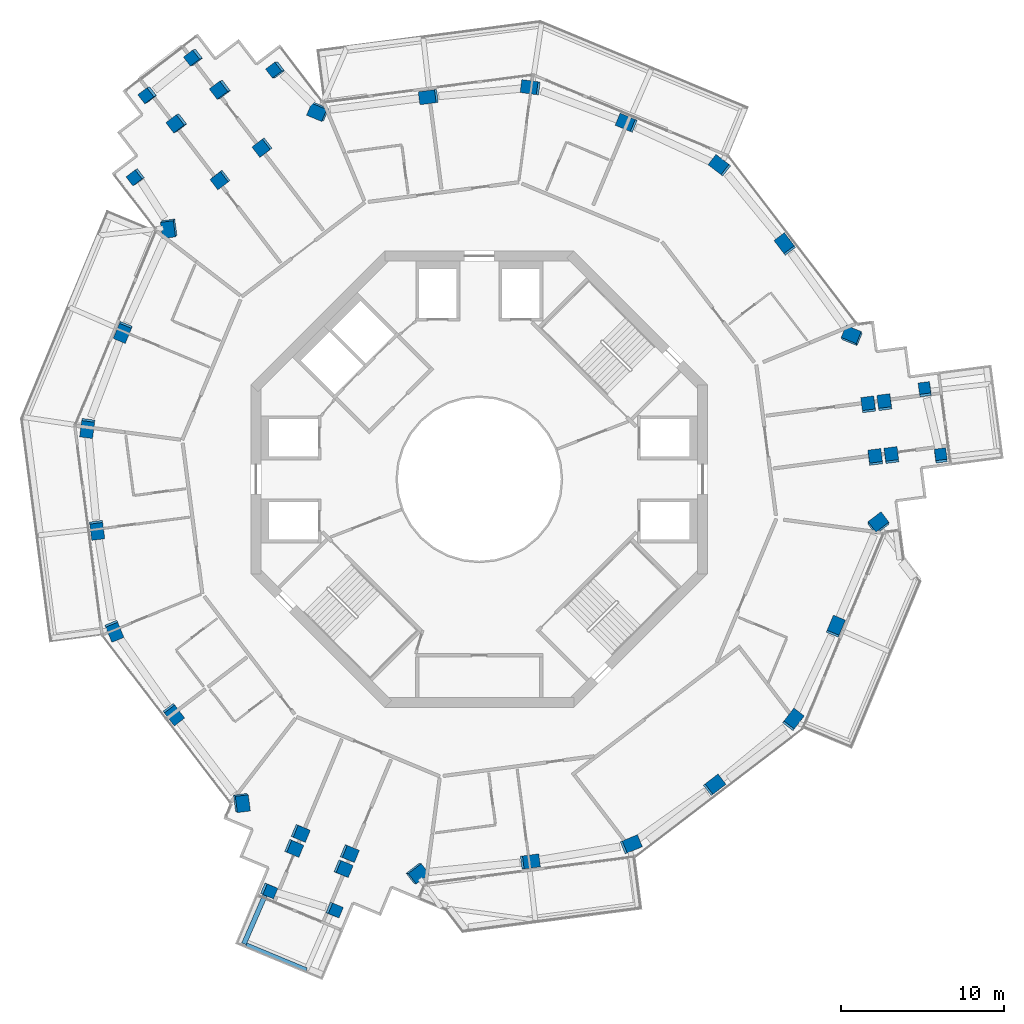
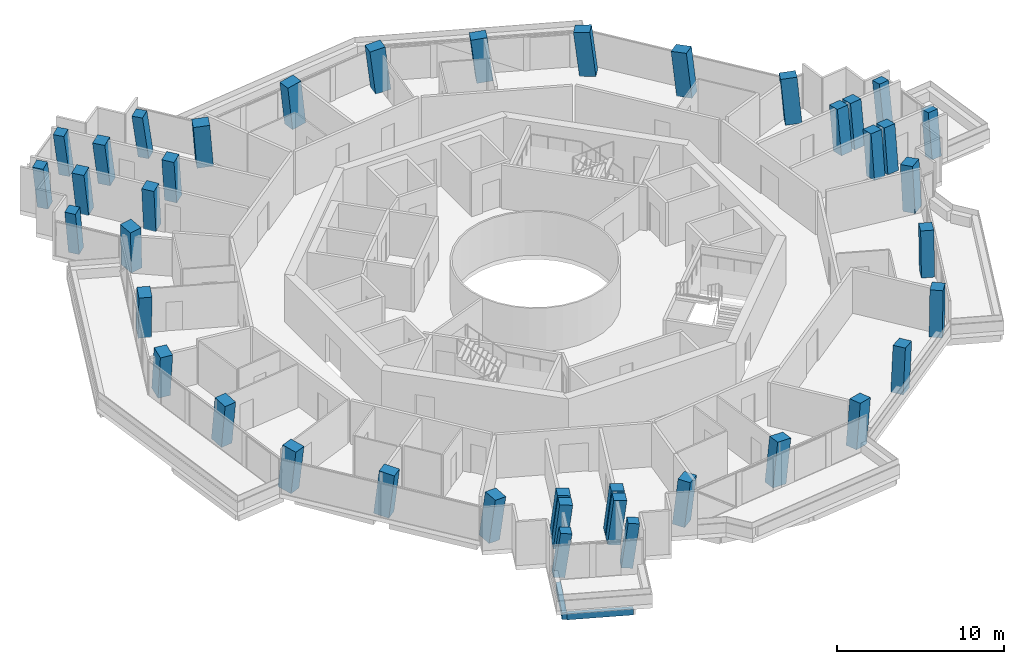
# One storey, part 1 of 25: 41 columns, 2 beams.
"""IFC4 building model written with IfcOpenShell, lengths in metres."""

import ifcopenshell
import ifcopenshell.guid

model = None  # the IFC model being written
_history = None  # IfcOwnerHistory: only IFC2X3 demands one
_inside = {}  # id of a spatial element -> (the spatial element, [elements in it])
_under = {}  # id of a project, library or spatial element -> (it, [spatial elements below it])
_declared = {}  # id of a project -> (the project, [libraries it declares])
_typed = {}  # id of a type object -> (the type object, [elements of that type])
_made_of = {}  # id of a material, layer set ... -> (it, [elements and type objects made of it])


def new_model(schema):
    """Start an empty IFC model of exactly this schema.

    Asked for "IFC4X3", IfcOpenShell would pick the latest addendum, in which some entities
    have other attributes; the version numbers below select the first issue.
    IFC2X3 requires an IfcOwnerHistory on every rooted entity: one is made here for all.
    """
    global model, _history
    if schema == "IFC4X3":
        model = ifcopenshell.file(schema_version=(4, 3, 0, 0))
    else:
        model = ifcopenshell.file(schema=schema)
    _inside.clear()
    _under.clear()
    _declared.clear()
    _typed.clear()
    _made_of.clear()
    _history = None
    if model.schema == "IFC2X3":
        org = make("IfcOrganization", Name="unknown")
        user = make(
            "IfcPersonAndOrganization",
            ThePerson=make("IfcPerson", FamilyName="unknown"),
            TheOrganization=org,
        )
        app = make(
            "IfcApplication",
            ApplicationDeveloper=org,
            Version="unknown",
            ApplicationFullName="unknown",
            ApplicationIdentifier="unknown",
        )
        _history = make(
            "IfcOwnerHistory",
            OwningUser=user,
            OwningApplication=app,
            ChangeAction="ADDED",
            CreationDate=0,
        )
    return model


def make(cls, **values):
    """One entity of the class cls with the attributes given. An attribute that is None is left unset."""
    return model.create_entity(
        cls, **{name: value for name, value in values.items() if value is not None}
    )


def rooted(cls, **values):
    """An entity with a GlobalId (a new one), such as an element, a storey or a relation."""
    return make(cls, GlobalId=ifcopenshell.guid.new(), OwnerHistory=_history, **values)


def si_unit(unit_type, name, prefix=None):
    """IfcSIUnit, for example si_unit("LENGTHUNIT", "METRE", prefix="MILLI")."""
    return make("IfcSIUnit", UnitType=unit_type, Prefix=prefix, Name=name)


def assignment(units):
    """IfcUnitAssignment: the units of a project."""
    return None if units is None else make("IfcUnitAssignment", Units=units)


def point(xyz):
    """IfcCartesianPoint."""
    return None if xyz is None else make("IfcCartesianPoint", Coordinates=xyz)


def direction(xyz):
    """IfcDirection."""
    return None if xyz is None else make("IfcDirection", DirectionRatios=xyz)


def frame(location, z_axis=None, x_axis=None):
    """IfcAxis2Placement3D, a coordinate frame: its origin and axes. An axis left out is left unset."""
    return make(
        "IfcAxis2Placement3D",
        Location=point(location),
        Axis=direction(z_axis),
        RefDirection=direction(x_axis),
    )


def frame_2d(location, x_axis=None):
    """IfcAxis2Placement2D, a coordinate frame in the plane: its origin and x axis."""
    return make(
        "IfcAxis2Placement2D", Location=point(location), RefDirection=direction(x_axis)
    )


def origin():
    """The frame at (0, 0, 0) with its axes left unset."""
    return frame((0.0, 0.0, 0.0))


def origin_2d():
    """The frame at (0, 0) in the plane with its x axis left unset."""
    return frame_2d((0.0, 0.0))


def place(relative_to, where):
    """IfcLocalPlacement: puts the frame where relative to a parent placement (None: the world)."""
    return make(
        "IfcLocalPlacement", PlacementRelTo=relative_to, RelativePlacement=where
    )


def context(
    kind, dimensions, precision=None, world=None, true_north=None, identifier=None
):
    """IfcGeometricRepresentationContext, for example the 3D "Model" context."""
    return make(
        "IfcGeometricRepresentationContext",
        ContextIdentifier=identifier,
        ContextType=kind,
        CoordinateSpaceDimension=dimensions,
        Precision=precision,
        WorldCoordinateSystem=world,
        TrueNorth=true_north,
    )


def subcontext(parent, identifier, kind, view, scale=None):
    """IfcGeometricRepresentationSubContext, for example "Body" below "Model"."""
    return make(
        "IfcGeometricRepresentationSubContext",
        ContextIdentifier=identifier,
        ContextType=kind,
        ParentContext=parent,
        TargetScale=scale,
        TargetView=view,
    )


def project(units=None, contexts=None):
    """IfcProject with its units and contexts."""
    return rooted(
        "IfcProject",
        Name="project",
        RepresentationContexts=contexts,
        UnitsInContext=assignment(units),
    )


def spatial(cls, under=None, at=None, **own):
    """A site, building, storey or space (cls), placed at a placement, below another one or the project."""
    s = rooted(cls, ObjectPlacement=at, **own)
    if under is not None:
        _under.setdefault(under.id(), (under, []))[1].append(s)
    return s


def profile(cls, at=None, kind="AREA", **sizes):
    """A parametric profile (cls). Its sizes go by their IFC names, for example OverallWidth=200.0."""
    return make(cls, ProfileType=kind, Position=at, **sizes)


def rectangle(**sizes):
    """IfcRectangleProfileDef."""
    return profile("IfcRectangleProfileDef", **sizes)


def extrude(swept, where, along, depth):
    """IfcExtrudedAreaSolid: the profile swept, set in the frame where, extruded along a direction by depth."""
    return make(
        "IfcExtrudedAreaSolid",
        SweptArea=swept,
        Position=where,
        ExtrudedDirection=direction(along),
        Depth=depth,
    )


def shape(context_of_items, identifier, shape_type, items):
    """IfcShapeRepresentation: the items that make up one representation, for example the "Body"."""
    return make(
        "IfcShapeRepresentation",
        ContextOfItems=context_of_items,
        RepresentationIdentifier=identifier,
        RepresentationType=shape_type,
        Items=items,
    )


def material(Name=None, Category=None):
    """IfcMaterial."""
    return make("IfcMaterial", Name=Name, Category=Category)


def material_profile(
    of_material, cross_section, Name=None, Category=None, Priority=None
):
    """IfcMaterialProfile: a cross section and its material."""
    return make(
        "IfcMaterialProfile",
        Name=Name,
        Material=of_material,
        Profile=cross_section,
        Priority=Priority,
        Category=Category,
    )


def profile_set(profiles, Name=None, composite=None):
    """IfcMaterialProfileSet."""
    return make(
        "IfcMaterialProfileSet",
        Name=Name,
        MaterialProfiles=profiles,
        CompositeProfile=composite,
    )


def made_of(thing, what):
    """Note that an element or type object is made of a material, layer set ...; save() writes the relation."""
    if what is not None:
        _made_of.setdefault(what.id(), (what, []))[1].append(thing)
    return thing


def type_object(cls, material=None, **own):
    """A type object (cls), such as IfcWallType, which elements share."""
    return made_of(rooted(cls, **own), material)


def element(
    cls,
    number,
    at=None,
    inside=None,
    cuts=None,
    type_object=None,
    material=None,
    context=None,
    identifier="Body",
    shape_type=None,
    held_by="IfcProductDefinitionShape",
    body=None,
    shapes=None,
    **own,
):
    """One element of the class cls, such as IfcWall. Its Tag is "e" and its number.

    at: its placement. inside: the storey or other place that contains it. cuts: it is an
    opening in that element (IfcRelVoidsElement). A single representation is given by context,
    identifier, shape_type and body (its items); several are given by shapes. held_by: the class
    of the entity that holds the representations. save() writes the other relations.
    """
    e = rooted(cls, Tag="e%d" % number, ObjectPlacement=at, **own)
    if body is not None:
        shapes = [shape(context, identifier, shape_type, body)]
    if shapes is not None:
        e.Representation = make(held_by, Representations=shapes)
    if inside is not None:
        _inside.setdefault(inside.id(), (inside, []))[1].append(e)
    if cuts is not None:
        rooted(
            "IfcRelVoidsElement", RelatingBuildingElement=cuts, RelatedOpeningElement=e
        )
    if type_object is not None:
        _typed.setdefault(type_object.id(), (type_object, []))[1].append(e)
    return made_of(e, material)


def aggregate(whole, parts):
    """IfcRelAggregates: a whole, such as a stair, and the parts it consists of."""
    return rooted("IfcRelAggregates", RelatingObject=whole, RelatedObjects=parts)


def save(model, path):
    """Write the relations noted so far, then the file.

    IfcRelAggregates (storeys below a building ...), IfcRelContainedInSpatialStructure (elements
    in a storey), IfcRelDefinesByType, IfcRelAssociatesMaterial and IfcRelDeclares: one each for
    every whole, place, type object, material and project.
    """
    for whole, parts in _under.values():
        aggregate(whole, parts)
    for where, things in _inside.values():
        rooted(
            "IfcRelContainedInSpatialStructure",
            RelatedElements=things,
            RelatingStructure=where,
        )
    for kind, things in _typed.values():
        rooted("IfcRelDefinesByType", RelatedObjects=things, RelatingType=kind)
    for what, things in _made_of.values():
        rooted("IfcRelAssociatesMaterial", RelatedObjects=things, RelatingMaterial=what)
    for by, libraries in _declared.values():
        rooted("IfcRelDeclares", RelatingContext=by, RelatedDefinitions=libraries)
    model.write(path)


model = new_model("IFC4")

# Units and contexts
model_context = context("Model", 3, precision=1e-05, world=origin(), true_north=direction((0.0, 1.0)))
body_context = subcontext(model_context, "Body", "Model", "MODEL_VIEW")
ifc_project = project(units=[si_unit("LENGTHUNIT", "METRE"), si_unit("AREAUNIT", "SQUARE_METRE"), si_unit("VOLUMEUNIT", "CUBIC_METRE"), si_unit("PLANEANGLEUNIT", "RADIAN"), si_unit("MASSUNIT", "GRAM", prefix="KILO")], contexts=[model_context])

# Site, building, storey
site_placement = place(None, origin())
site = spatial("IfcSite", under=ifc_project, at=site_placement, CompositionType="ELEMENT")
building_placement = place(site_placement, origin())
building = spatial("IfcBuilding", under=site, at=building_placement, Name="Verdalira Terraces Hotel", CompositionType="ELEMENT")
storey_placement = place(building_placement, frame((0.0, 0.0, 187.0)))
storey = spatial("IfcBuildingStorey", under=building, at=storey_placement, Name="L45", CompositionType="ELEMENT", Elevation=187.0)

# Columns
ifc_material_1 = material(Name="Concrete C60", Category="concrete")
ifc_material_profile_1 = material_profile(ifc_material_1, rectangle(XDim=1.0, YDim=0.800049, at=origin_2d()), Name="RC 1000X800")
ifc_profile_set_1 = profile_set([ifc_material_profile_1], Name="Concrete C60")
column_type_1 = type_object("IfcColumnType", Name="Column RC 1000X800 C60", PredefinedType="COLUMN", material=ifc_profile_set_1)
column_1_placement = place(storey_placement, frame((-19.015137, 15.426025, 0.0), z_axis=(-0.072593127, -0.091064467, 0.9931956), x_axis=(-0.135973372, 0.987428635, 0.080597347)))
element("IfcColumn", 1, at=column_1_placement, inside=storey, type_object=column_type_1, Name="Column C03", PredefinedType="COLUMN", context=body_context, shape_type="SweptSolid", body=[
    extrude(rectangle(XDim=1.0, YDim=0.800049, at=origin_2d()), origin(), (0.0, 0.0, 1.0), 3.211914),
])
column_2_placement = place(storey_placement, frame((-21.8479, 9.076416, 0.0), z_axis=(-0.042358915, -0.104262249, 0.993647375), x_axis=(-0.381802301, -0.917367434, -0.112534412)))
element("IfcColumn", 2, at=column_2_placement, inside=storey, type_object=column_type_1, Name="Column C04", PredefinedType="COLUMN", context=body_context, shape_type="SweptSolid", body=[
    extrude(rectangle(XDim=1.0, YDim=0.800049, at=origin_2d()), origin(), (0.0, 0.0, 1.0), 3.210449),
])
column_3_placement = place(storey_placement, frame((-24.043945, 3.191162, 0.0), z_axis=(-0.014216387, -0.11449133, 0.993322521), x_axis=(0.130765561, 0.984678092, 0.115366475)))
element("IfcColumn", 3, at=column_3_placement, inside=storey, type_object=column_type_1, Name="Column C05", PredefinedType="COLUMN", context=body_context, shape_type="SweptSolid", body=[
    extrude(rectangle(XDim=1.0, YDim=0.800049, at=origin_2d()), origin(), (0.0, 0.0, 1.0), 3.211426),
])
column_4_placement = place(storey_placement, frame((-23.459229, -3.063477, 0.0), z_axis=(0.015513818, -0.111486556, 0.993644841), x_axis=(0.128594241, -0.985289039, -0.112556785)))
element("IfcColumn", 4, at=column_4_placement, inside=storey, type_object=column_type_1, Name="Column C06", PredefinedType="COLUMN", context=body_context, shape_type="SweptSolid", body=[
    extrude(rectangle(XDim=1.0, YDim=0.800049, at=origin_2d()), origin(), (0.0, 0.0, 1.0), 3.210449),
])
column_5_placement = place(storey_placement, frame((-22.418213, -9.258301, 0.0), z_axis=(0.044929776, -0.106280587, 0.993320569), x_axis=(-0.378999709, 0.918175321, 0.115383279)))
element("IfcColumn", 5, at=column_5_placement, inside=storey, type_object=column_type_1, Name="Column C07", PredefinedType="COLUMN", context=body_context, shape_type="SweptSolid", body=[
    extrude(rectangle(XDim=1.0, YDim=0.800049, at=origin_2d()), origin(), (0.0, 0.0, 1.0), 3.211426),
])
column_6_placement = place(storey_placement, frame((-18.784424, -14.382568, 0.0), z_axis=(0.069128268, -0.088748833, 0.993652317), x_axis=(0.603927899, -0.789060783, -0.112490769)))
element("IfcColumn", 6, at=column_6_placement, inside=storey, type_object=column_type_1, Name="Column C08", PredefinedType="COLUMN", context=body_context, shape_type="SweptSolid", body=[
    extrude(rectangle(XDim=1.0, YDim=0.800049, at=origin_2d()), origin(), (0.0, 0.0, 1.0), 3.210205),
])
for number, where, z_axis, x_axis, name in (
    (7, (-14.622314, -19.818604, 0.0), (0.094782296, -0.068711464, 0.993123885), (-0.122268831, 0.989258415, 0.080113182), "Column C09"),
    (8, (-3.851807, -24.180664, 0.0), (0.115160831, -0.017331135, 0.993195658), (-0.787130127, -0.611498393, 0.080597008), "Column C12"),
):
    element("IfcColumn", number, at=place(storey_placement, frame(where, z_axis=z_axis, x_axis=x_axis)), inside=storey, type_object=column_type_1, Name=name, PredefinedType="COLUMN", context=body_context, shape_type="SweptSolid", body=[
        extrude(rectangle(XDim=1.0, YDim=0.800049, at=origin_2d()), origin(), (0.0, 0.0, 1.0), 3.211914),
    ])
column_7_placement = place(storey_placement, frame((3.063477, -23.459229, 0.0), z_axis=(0.111486556, 0.015513818, 0.993644841), x_axis=(0.985289039, 0.128594241, -0.112556785)))
element("IfcColumn", 9, at=column_7_placement, inside=storey, type_object=column_type_1, Name="Column C13", PredefinedType="COLUMN", context=body_context, shape_type="SweptSolid", body=[
    extrude(rectangle(XDim=1.0, YDim=0.800049, at=origin_2d()), origin(), (0.0, 0.0, 1.0), 3.210449),
])
column_8_placement = place(storey_placement, frame((9.258301, -22.418213, 0.0), z_axis=(0.106280587, 0.044929776, 0.993320569), x_axis=(-0.918175321, -0.378999709, 0.115383279)))
element("IfcColumn", 10, at=column_8_placement, inside=storey, type_object=column_type_1, Name="Column C14", PredefinedType="COLUMN", context=body_context, shape_type="SweptSolid", body=[
    extrude(rectangle(XDim=1.0, YDim=0.800049, at=origin_2d()), origin(), (0.0, 0.0, 1.0), 3.211426),
])
column_9_placement = place(storey_placement, frame((14.382568, -18.784424, 0.0), z_axis=(0.088748833, 0.069128268, 0.993652317), x_axis=(0.789060783, 0.603927899, -0.112490769)))
element("IfcColumn", 11, at=column_9_placement, inside=storey, type_object=column_type_1, Name="Column C15", PredefinedType="COLUMN", context=body_context, shape_type="SweptSolid", body=[
    extrude(rectangle(XDim=1.0, YDim=0.800049, at=origin_2d()), origin(), (0.0, 0.0, 1.0), 3.210205),
])
column_10_placement = place(storey_placement, frame((19.227051, -14.7854, 0.0), z_axis=(0.069561803, 0.091988832, 0.993327343), x_axis=(-0.605840039, -0.787183589, 0.115324949)))
element("IfcColumn", 12, at=column_10_placement, inside=storey, type_object=column_type_1, Name="Column C16", PredefinedType="COLUMN", context=body_context, shape_type="SweptSolid", body=[
    extrude(rectangle(XDim=1.0, YDim=0.800049, at=origin_2d()), origin(), (0.0, 0.0, 1.0), 3.211426),
])
column_11_placement = place(storey_placement, frame((21.8479, -9.076416, 0.0), z_axis=(0.042358915, 0.104262249, 0.993647375), x_axis=(0.381802301, 0.917367434, -0.112534412)))
element("IfcColumn", 13, at=column_11_placement, inside=storey, type_object=column_type_1, Name="Column C17", PredefinedType="COLUMN", context=body_context, shape_type="SweptSolid", body=[
    extrude(rectangle(XDim=1.0, YDim=0.800049, at=origin_2d()), origin(), (0.0, 0.0, 1.0), 3.210449),
])
for number, where, z_axis, x_axis, name in (
    (14, (24.474609, -2.753906, 0.0), (0.01208531, 0.116444623, 0.993123656), (-0.795435722, -0.6007193, 0.080114515), "Column C18"),
    (15, (22.866943, 8.754639, 0.0), (-0.042567716, 0.108395649, 0.993196039), (0.923130304, -0.375945377, 0.080594756), "Column C21"),
):
    element("IfcColumn", number, at=place(storey_placement, frame(where, z_axis=z_axis, x_axis=x_axis)), inside=storey, type_object=column_type_1, Name=name, PredefinedType="COLUMN", context=body_context, shape_type="SweptSolid", body=[
        extrude(rectangle(XDim=1.0, YDim=0.800049, at=origin_2d()), origin(), (0.0, 0.0, 1.0), 3.211914),
    ])
column_12_placement = place(storey_placement, frame((18.784424, 14.382568, 0.0), z_axis=(-0.069128268, 0.088748833, 0.993652317), x_axis=(-0.603927899, 0.789060783, -0.112490769)))
element("IfcColumn", 16, at=column_12_placement, inside=storey, type_object=column_type_1, Name="Column C22", PredefinedType="COLUMN", context=body_context, shape_type="SweptSolid", body=[
    extrude(rectangle(XDim=1.0, YDim=0.800049, at=origin_2d()), origin(), (0.0, 0.0, 1.0), 3.210205),
])
column_13_placement = place(storey_placement, frame((14.7854, 19.227051, 0.0), z_axis=(-0.091988832, 0.069561803, 0.993327343), x_axis=(0.787183589, -0.605840039, 0.115324949)))
element("IfcColumn", 17, at=column_13_placement, inside=storey, type_object=column_type_1, Name="Column C23", PredefinedType="COLUMN", context=body_context, shape_type="SweptSolid", body=[
    extrude(rectangle(XDim=1.0, YDim=0.800049, at=origin_2d()), origin(), (0.0, 0.0, 1.0), 3.211426),
])
column_14_placement = place(storey_placement, frame((9.076416, 21.8479, 0.0), z_axis=(-0.104262249, 0.042358915, 0.993647375), x_axis=(-0.917367434, 0.381802301, -0.112534412)))
element("IfcColumn", 18, at=column_14_placement, inside=storey, type_object=column_type_1, Name="Column C24", PredefinedType="COLUMN", context=body_context, shape_type="SweptSolid", body=[
    extrude(rectangle(XDim=1.0, YDim=0.800049, at=origin_2d()), origin(), (0.0, 0.0, 1.0), 3.210449),
])
column_15_placement = place(storey_placement, frame((3.191162, 24.043945, 0.0), z_axis=(-0.11449133, 0.014216387, 0.993322521), x_axis=(0.984678092, -0.130765561, 0.115366475)))
element("IfcColumn", 19, at=column_15_placement, inside=storey, type_object=column_type_1, Name="Column C25", PredefinedType="COLUMN", context=body_context, shape_type="SweptSolid", body=[
    extrude(rectangle(XDim=1.0, YDim=0.800049, at=origin_2d()), origin(), (0.0, 0.0, 1.0), 3.211426),
])
column_16_placement = place(storey_placement, frame((-3.063477, 23.459229, 0.0), z_axis=(-0.111486556, -0.015513818, 0.993644841), x_axis=(-0.985289039, -0.128594241, -0.112556785)))
element("IfcColumn", 20, at=column_16_placement, inside=storey, type_object=column_type_1, Name="Column C26", PredefinedType="COLUMN", context=body_context, shape_type="SweptSolid", body=[
    extrude(rectangle(XDim=1.0, YDim=0.800049, at=origin_2d()), origin(), (0.0, 0.0, 1.0), 3.210449),
])
column_17_placement = place(storey_placement, frame((-9.852295, 22.57251, 0.0), z_axis=(-0.106943059, -0.047732936, 0.993118698), x_axis=(0.917806307, -0.388855547, 0.080143287)))
element("IfcColumn", 21, at=column_17_placement, inside=storey, type_object=column_type_1, Name="Column C27", PredefinedType="COLUMN", context=body_context, shape_type="SweptSolid", body=[
    extrude(rectangle(XDim=1.0, YDim=0.800049, at=origin_2d()), origin(), (0.0, 0.0, 1.0), 3.212158),
])
ifc_material_2 = material(Name="Concrete C60", Category="concrete")
ifc_material_profile_2 = material_profile(ifc_material_2, rectangle(XDim=0.699951, YDim=0.699951, at=origin_2d()), Name="RC 700X700")
ifc_profile_set_2 = profile_set([ifc_material_profile_2], Name="Concrete C60")
column_type_2 = type_object("IfcColumnType", Name="Column RC 700X700 C60", PredefinedType="COLUMN", material=ifc_profile_set_2)
column_18_placement = place(storey_placement, frame((-12.44043, 25.130371, 0.0), z_axis=(-0.147642471, -0.023005285, 0.988773208), x_axis=(-0.598701769, 0.797833719, -0.070834662)))
element("IfcColumn", 22, at=column_18_placement, inside=storey, type_object=column_type_2, Name="Column C01", PredefinedType="COLUMN", context=body_context, shape_type="SweptSolid", body=[
    extrude(rectangle(XDim=0.699951, YDim=0.699951, at=origin_2d()), origin(), (0.0, 0.0, 1.0), 3.226074),
])
column_19_placement = place(storey_placement, frame((-21.043457, 18.568604, 0.0), z_axis=(-0.116590608, -0.063719005, 0.991133956), x_axis=(0.605823224, -0.7953445, 0.02013324)))
element("IfcColumn", 23, at=column_19_placement, inside=storey, type_object=column_type_2, Name="Column C02", PredefinedType="COLUMN", context=body_context, shape_type="SweptSolid", body=[
    extrude(rectangle(XDim=0.699951, YDim=0.699951, at=origin_2d()), origin(), (0.0, 0.0, 1.0), 3.218506),
])
column_20_placement = place(storey_placement, frame((-12.965332, -25.213623, 0.0), z_axis=(0.120129472, -0.060443933, 0.990916465), x_axis=(0.915798808, -0.378583556, -0.134115751)))
element("IfcColumn", 24, at=column_20_placement, inside=storey, type_object=column_type_2, Name="Column C10", PredefinedType="COLUMN", context=body_context, shape_type="SweptSolid", body=[
    extrude(rectangle(XDim=0.699951, YDim=0.699951, at=origin_2d()), origin(), (0.0, 0.0, 1.0), 3.219238),
])
column_21_placement = place(storey_placement, frame((-8.954834, -26.40332, 0.0), z_axis=(0.125627414, -0.041420633, 0.991212431), x_axis=(0.914947469, -0.381409976, -0.131899805)))
element("IfcColumn", 25, at=column_21_placement, inside=storey, type_object=column_type_2, Name="Column C11", PredefinedType="COLUMN", context=body_context, shape_type="SweptSolid", body=[
    extrude(rectangle(XDim=0.699951, YDim=0.699951, at=origin_2d()), origin(), (0.0, 0.0, 1.0), 3.218262),
])
column_22_placement = place(storey_placement, frame((28.318115, 1.378418, 0.0), z_axis=(-0.007583884, 0.134310583, 0.990910264), x_axis=(-0.129030306, 0.982523243, -0.134161311)))
element("IfcColumn", 26, at=column_22_placement, inside=storey, type_object=column_type_2, Name="Column C19", PredefinedType="COLUMN", context=body_context, shape_type="SweptSolid", body=[
    extrude(rectangle(XDim=0.699951, YDim=0.699951, at=origin_2d()), origin(), (0.0, 0.0, 1.0), 3.219238),
])
column_23_placement = place(storey_placement, frame((27.343262, 5.446533, 0.0), z_axis=(-0.026931042, 0.129496589, 0.99121408), x_axis=(-0.127096321, 0.983083016, -0.131887487)))
element("IfcColumn", 27, at=column_23_placement, inside=storey, type_object=column_type_2, Name="Column C20", PredefinedType="COLUMN", context=body_context, shape_type="SweptSolid", body=[
    extrude(rectangle(XDim=0.699951, YDim=0.699951, at=origin_2d()), origin(), (0.0, 0.0, 1.0), 3.218262),
])
column_24_placement = place(storey_placement, frame((-17.474365, 25.898438, 0.0), z_axis=(-0.150845163, -0.046855712, 0.987446342), x_axis=(-0.780148973, -0.607830237, -0.148020213)))
element("IfcColumn", 28, at=column_24_placement, inside=storey, type_object=column_type_2, Name="Column C28", PredefinedType="COLUMN", context=body_context, shape_type="SweptSolid", body=[
    extrude(rectangle(XDim=0.699951, YDim=0.699951, at=origin_2d()), origin(), (0.0, 0.0, 1.0), 3.230469),
])
column_25_placement = place(storey_placement, frame((-20.289551, 23.604248, 0.0), z_axis=(-0.140085207, -0.060133769, 0.988311724), x_axis=(-0.781842792, -0.605734034, -0.147675754)))
element("IfcColumn", 29, at=column_25_placement, inside=storey, type_object=column_type_2, Name="Column C29", PredefinedType="COLUMN", context=body_context, shape_type="SweptSolid", body=[
    extrude(rectangle(XDim=0.699951, YDim=0.699951, at=origin_2d()), origin(), (0.0, 0.0, 1.0), 3.227783),
])
ifc_material_3 = material(Name="Concrete C60", Category="concrete")
ifc_material_profile_3 = material_profile(ifc_material_3, rectangle(XDim=0.800049, YDim=0.800049, at=origin_2d()), Name="RC 800X800")
ifc_profile_set_3 = profile_set([ifc_material_profile_3], Name="Concrete C60")
column_type_3 = type_object("IfcColumnType", Name="Column RC 800X800 C60", PredefinedType="COLUMN", material=ifc_profile_set_3)
for number, where, z_axis, x_axis, name in (
    (30, (-13.273438, 20.389404, 0.0), (-0.096394376, -0.063933494, 0.993287789), (-0.607336491, 0.794406342, -0.007807052), "Column C30"),
    (31, (-15.858887, 18.409912, 0.0), (-0.086968391, -0.076173363, 0.993294577), (-0.608490598, 0.79352491, 0.007576819), "Column C31"),
):
    element("IfcColumn", number, at=place(storey_placement, frame(where, z_axis=z_axis, x_axis=x_axis)), inside=storey, type_object=column_type_3, Name=name, PredefinedType="COLUMN", context=body_context, shape_type="SweptSolid", body=[
        extrude(rectangle(XDim=0.800049, YDim=0.800049, at=origin_2d()), origin(), (0.0, 0.0, 1.0), 3.211426),
    ])
column_26_placement = place(storey_placement, frame((-15.831787, 23.919189, 0.0), z_axis=(-0.141864507, -0.039061945, 0.989115072), x_axis=(-0.600958051, 0.797406505, -0.054701793)))
element("IfcColumn", 32, at=column_26_placement, inside=storey, type_object=column_type_3, Name="Column C32", PredefinedType="COLUMN", context=body_context, shape_type="SweptSolid", body=[
    extrude(rectangle(XDim=0.800049, YDim=0.800049, at=origin_2d()), origin(), (0.0, 0.0, 1.0), 3.225098),
])
column_27_placement = place(storey_placement, frame((-18.508301, 21.869873, 0.0), z_axis=(-0.132126135, -0.051668592, 0.989885368), x_axis=(-0.603061125, 0.796745587, -0.038906943)))
element("IfcColumn", 33, at=column_27_placement, inside=storey, type_object=column_type_3, Name="Column C33", PredefinedType="COLUMN", context=body_context, shape_type="SweptSolid", body=[
    extrude(rectangle(XDim=0.800049, YDim=0.800049, at=origin_2d()), origin(), (0.0, 0.0, 1.0), 3.222656),
])
for number, where, z_axis, x_axis, name in (
    (34, (-11.020996, -21.689697, 0.0), (0.103540444, -0.051542159, 0.993288871), (-0.38460254, -0.923049265, -0.007806424), "Column C34"),
    (35, (-8.013916, -22.939209, 0.0), (0.109395597, -0.037174737, 0.993302896), (-0.382694371, -0.92384397, 0.007572134), "Column C35"),
):
    element("IfcColumn", number, at=place(storey_placement, frame(where, z_axis=z_axis, x_axis=x_axis)), inside=storey, type_object=column_type_3, Name=name, PredefinedType="COLUMN", context=body_context, shape_type="SweptSolid", body=[
        extrude(rectangle(XDim=0.800049, YDim=0.800049, at=origin_2d()), origin(), (0.0, 0.0, 1.0), 3.211426),
    ])
column_28_placement = place(storey_placement, frame((-11.420166, -22.606934, 0.0), z_axis=(0.107889044, -0.053336696, 0.992731158), x_axis=(-0.384270657, -0.923187211, -0.007838136)))
element("IfcColumn", 36, at=column_28_placement, inside=storey, type_object=column_type_3, Name="Column C36", PredefinedType="COLUMN", context=body_context, shape_type="SweptSolid", body=[
    extrude(rectangle(XDim=0.800049, YDim=0.800049, at=origin_2d()), origin(), (0.0, 0.0, 1.0), 3.213379),
])
column_29_placement = place(storey_placement, frame((-8.397461, -23.862549, 0.0), z_axis=(0.113741015, -0.038977382, 0.992745559), x_axis=(-0.382925528, -0.923747918, 0.007604227)))
element("IfcColumn", 37, at=column_29_placement, inside=storey, type_object=column_type_3, Name="Column C37", PredefinedType="COLUMN", context=body_context, shape_type="SweptSolid", body=[
    extrude(rectangle(XDim=0.800049, YDim=0.800049, at=origin_2d()), origin(), (0.0, 0.0, 1.0), 3.213135),
])
for number, where, z_axis, x_axis, name in (
    (38, (24.294434, 1.300293, 0.0), (-0.007145933, 0.115475233, 0.993284655), (0.991673942, 0.128537209, -0.007808868), "Column C38"),
    (39, (23.872803, 4.529297, 0.0), (-0.022502444, 0.113348458, 0.993300441), (0.991425484, 0.130453641, 0.007573516), "Column C39"),
):
    element("IfcColumn", number, at=place(storey_placement, frame(where, z_axis=z_axis, x_axis=x_axis)), inside=storey, type_object=column_type_3, Name=name, PredefinedType="COLUMN", context=body_context, shape_type="SweptSolid", body=[
        extrude(rectangle(XDim=0.800049, YDim=0.800049, at=origin_2d()), origin(), (0.0, 0.0, 1.0), 3.211426),
    ])
for number, where, z_axis, x_axis, name in (
    (40, (25.288086, 1.413086, 0.0), (-0.007673716, 0.120196221, 0.992720496), (0.991730363, 0.128099029, -0.007843862), "Column C40"),
    (41, (24.864502, 4.658936, 0.0), (-0.023173643, 0.117995632, 0.992743679), (0.991390473, 0.130717602, 0.007605209), "Column C41"),
):
    element("IfcColumn", number, at=place(storey_placement, frame(where, z_axis=z_axis, x_axis=x_axis)), inside=storey, type_object=column_type_3, Name=name, PredefinedType="COLUMN", context=body_context, shape_type="SweptSolid", body=[
        extrude(rectangle(XDim=0.800049, YDim=0.800049, at=origin_2d()), origin(), (0.0, 0.0, 1.0), 3.213379),
    ])

# Beams
ifc_material_4 = material(Name="Concrete C40", Category="concrete")
ifc_material_profile_4 = material_profile(ifc_material_4, rectangle(XDim=0.300049, YDim=0.5, at=origin_2d()), Name="RC 300X500")
ifc_profile_set_4 = profile_set([ifc_material_profile_4], Name="Concrete C40")
beam_type_1 = type_object("IfcBeamType", Name="Balcony cantilever beam RC 300X500 C40", PredefinedType="BEAM", material=ifc_profile_set_4)
beam_1_placement = place(storey_placement, frame((-13.142334, -25.514893, -0.560059), z_axis=(-0.399047052, -0.91693045, 0.0), x_axis=(0.91693045, -0.399047052, 0.0)))
element("IfcBeam", 42, at=beam_1_placement, inside=storey, type_object=beam_type_1, Name="Balcony cantilever beam R19-1", PredefinedType="BEAM", context=body_context, shape_type="SweptSolid", body=[
    extrude(rectangle(XDim=0.300049, YDim=0.5, at=origin_2d()), origin(), (0.0, 0.0, 1.0), 3.25415),
])
ifc_material_5 = material(Name="Concrete C40", Category="concrete")
ifc_material_profile_5 = material_profile(ifc_material_5, rectangle(XDim=0.25, YDim=0.449951, at=origin_2d()), Name="RC 250X450")
ifc_profile_set_5 = profile_set([ifc_material_profile_5], Name="Concrete C40")
beam_type_2 = type_object("IfcBeamType", Name="Balcony edge beam RC 250X450 C40", PredefinedType="BEAM", material=ifc_profile_set_5)
beam_2_placement = place(storey_placement, frame((-14.30249, -28.556396, -0.534912), z_axis=(0.923478767, -0.383649536, 0.0), x_axis=(0.383649536, 0.923478767, 0.0)))
element("IfcBeam", 43, at=beam_2_placement, inside=storey, type_object=beam_type_2, Name="Balcony edge beam R19-1", PredefinedType="BEAM", context=body_context, shape_type="SweptSolid", body=[
    extrude(rectangle(XDim=0.25, YDim=0.449951, at=origin_2d()), origin(), (0.0, 0.0, 1.0), 4.003418),
])

save(model, "model.ifc")
